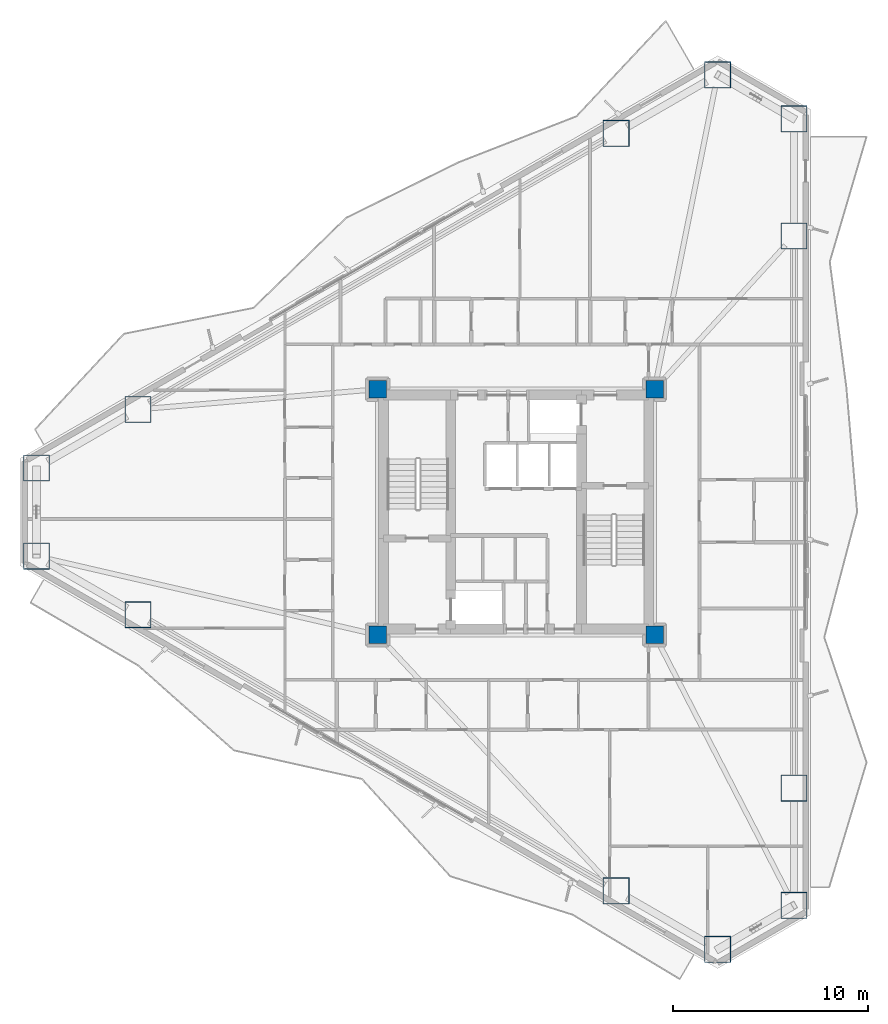
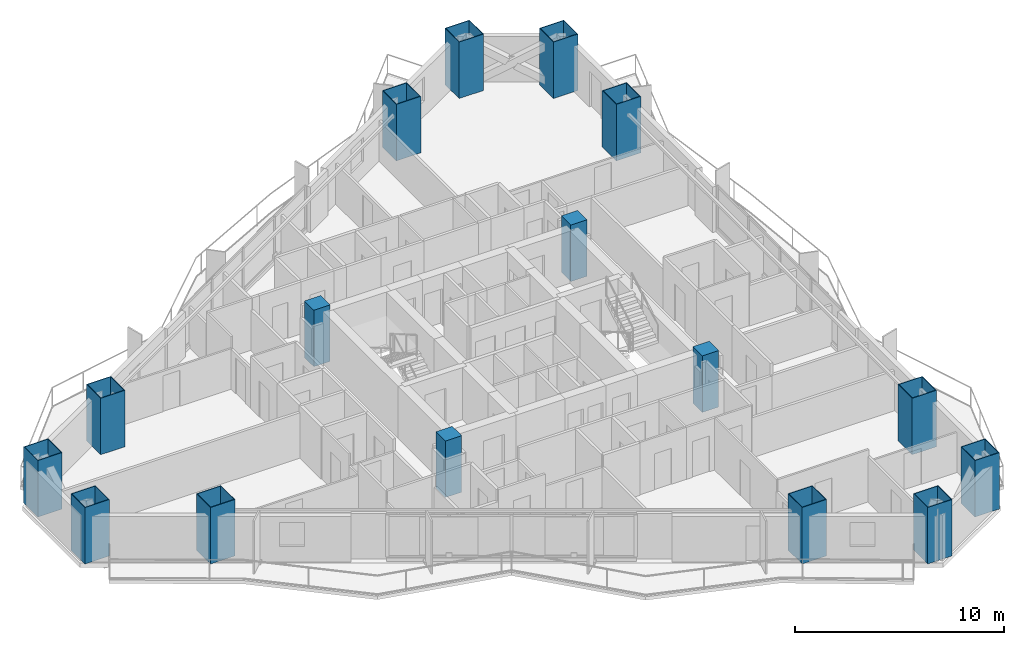
# One storey, part 1 of 18: 16 columns.
"""IFC4 building model written with IfcOpenShell, lengths in metres."""

from ifc_helpers import new_model, si_unit, direction, frame, origin, origin_2d, place, context, subcontext, project, spatial, rectangle, hollow_rectangle, extrude, material, material_profile, profile_set, type_object, element, save


model = new_model("IFC4")

# Units and contexts
model_context = context("Model", 3, precision=1e-05, world=origin(), true_north=direction((0.0, 1.0)))
body_context = subcontext(model_context, "Body", "Model", "MODEL_VIEW")
ifc_project = project(units=[si_unit("LENGTHUNIT", "METRE"), si_unit("AREAUNIT", "SQUARE_METRE"), si_unit("VOLUMEUNIT", "CUBIC_METRE"), si_unit("PLANEANGLEUNIT", "RADIAN"), si_unit("MASSUNIT", "GRAM", prefix="KILO")], contexts=[model_context])

# Site, building, storey
site_placement = place(None, origin())
site = spatial("IfcSite", under=ifc_project, at=site_placement, CompositionType="ELEMENT")
building_placement = place(site_placement, origin())
building = spatial("IfcBuilding", under=site, at=building_placement, Name="Mersakhor Tower and Convention Hall", CompositionType="ELEMENT")
storey_placement = place(building_placement, frame((0.0, 0.0, 55.5)))
storey = spatial("IfcBuildingStorey", under=building, at=storey_placement, Name="L15", CompositionType="ELEMENT", Elevation=55.5)

# Columns
ifc_material_1 = material(Name="Concrete C70/85 in S460M steel box", Category="concrete")
ifc_material_profile_1 = material_profile(ifc_material_1, hollow_rectangle(XDim=1.35009765625, YDim=1.35009765625, WallThickness=0.035888671875, at=origin_2d()), Name="SHS 1350x1350x36")
ifc_profile_set_1 = profile_set([ifc_material_profile_1], Name="Concrete C70/85 in S460M steel box")
column_type_1 = type_object("IfcColumnType", Name="COL-CFT-1350", PredefinedType="COLUMN", material=ifc_profile_set_1)
for number, where, z_axis, x_axis, name in (
    (1, (4.4130859375, 29.00927734375, 0.0), (0.0, 0.0, 1.0), (1.0, 0.0, 0.0), "L15 Perimeter Mega-Column MC-01"),
    (2, (9.61669921875, 32.013671875, 0.0), (0.0, 0.0, 1.0), (1.0, 0.0, 0.0), "L15 Perimeter Mega-Column MC-02"),
    (3, (34.13330078125, 46.168212890625, 0.0), (0.0, 0.0, 1.0), (1.0, 0.0, 0.0), "L15 Perimeter Mega-Column MC-03"),
    (4, (39.3369140625, 49.172607421875, 0.0), (0.0, 0.0, 1.0), (1.0, 0.0, 0.0), "L15 Perimeter Mega-Column MC-04"),
    (5, (43.25, 46.913330078125, 0.0), (0.0, 0.0, 1.0), (1.0, 0.0, 0.0), "L15 Perimeter Mega-Column MC-05"),
    (6, (43.25, 40.904541015625, 0.0), (0.0, 0.0, 1.0), (1.0, 0.0, 0.0), "L15 Perimeter Mega-Column MC-06"),
    (7, (43.25, 12.595458984375, 0.0), (0.0, 0.0, 1.0), (1.0, 0.0, 0.0), "L15 Perimeter Mega-Column MC-07"),
    (8, (43.25, 6.586669921875, 0.0), (0.0, 0.0, 1.0), (1.0, 0.0, 0.0), "L15 Perimeter Mega-Column MC-08"),
    (9, (39.3369140625, 4.327392578125, 0.0), (0.0, 0.0, 1.0), (1.0, 0.0, 0.0), "L15 Perimeter Mega-Column MC-09"),
    (10, (34.13330078125, 7.331787109375, 0.0), (0.0, 0.0, 1.0), (1.0, 0.0, 0.0), "L15 Perimeter Mega-Column MC-10"),
    (11, (9.61669921875, 21.486328125, 0.0), (0.0, 0.0, 1.0), (1.0, 0.0, 0.0), "L15 Perimeter Mega-Column MC-11"),
    (12, (4.4130859375, 24.49072265625, 0.0), (0.0, 0.0, 1.0), (1.0, 0.0, 0.0), "L15 Perimeter Mega-Column MC-12"),
):
    element("IfcColumn", number, at=place(storey_placement, frame(where, z_axis=z_axis, x_axis=x_axis)), inside=storey, type_object=column_type_1, Name=name, PredefinedType="COLUMN", context=body_context, shape_type="SweptSolid", body=[
        extrude(hollow_rectangle(XDim=1.35009765625, YDim=1.35009765625, WallThickness=0.035888671875, at=origin_2d()), origin(), (0.0, 0.0, 1.0), 3.300048828125),
    ])
ifc_material_2 = material(Name="Concrete C60/75", Category="concrete")
ifc_material_profile_2 = material_profile(ifc_material_2, rectangle(XDim=0.89990234375, YDim=0.89990234375, at=origin_2d()), Name="RC 900x900")
ifc_profile_set_2 = profile_set([ifc_material_profile_2], Name="Concrete C60/75")
column_type_2 = type_object("IfcColumnType", Name="COL-RC-900", PredefinedType="COLUMN", material=ifc_profile_set_2)
for number, where, z_axis, x_axis, name in (
    (13, (21.89990234375, 20.449951171875, 0.0), (0.0, 0.0, 1.0), (1.0, 0.0, 0.0), "L15 Core Corner Column CC-1"),
    (14, (21.89990234375, 33.050048828125, 0.0), (0.0, 0.0, 1.0), (1.0, 0.0, 0.0), "L15 Core Corner Column CC-2"),
    (15, (36.10009765625, 33.050048828125, 0.0), (0.0, 0.0, 1.0), (1.0, 0.0, 0.0), "L15 Core Corner Column CC-3"),
    (16, (36.10009765625, 20.449951171875, 0.0), (0.0, 0.0, 1.0), (1.0, 0.0, 0.0), "L15 Core Corner Column CC-4"),
):
    element("IfcColumn", number, at=place(storey_placement, frame(where, z_axis=z_axis, x_axis=x_axis)), inside=storey, type_object=column_type_2, Name=name, PredefinedType="COLUMN", context=body_context, shape_type="SweptSolid", body=[
        extrude(rectangle(XDim=0.89990234375, YDim=0.89990234375, at=origin_2d()), origin(), (0.0, 0.0, 1.0), 3.300048828125),
    ])

save(model, "model.ifc")
